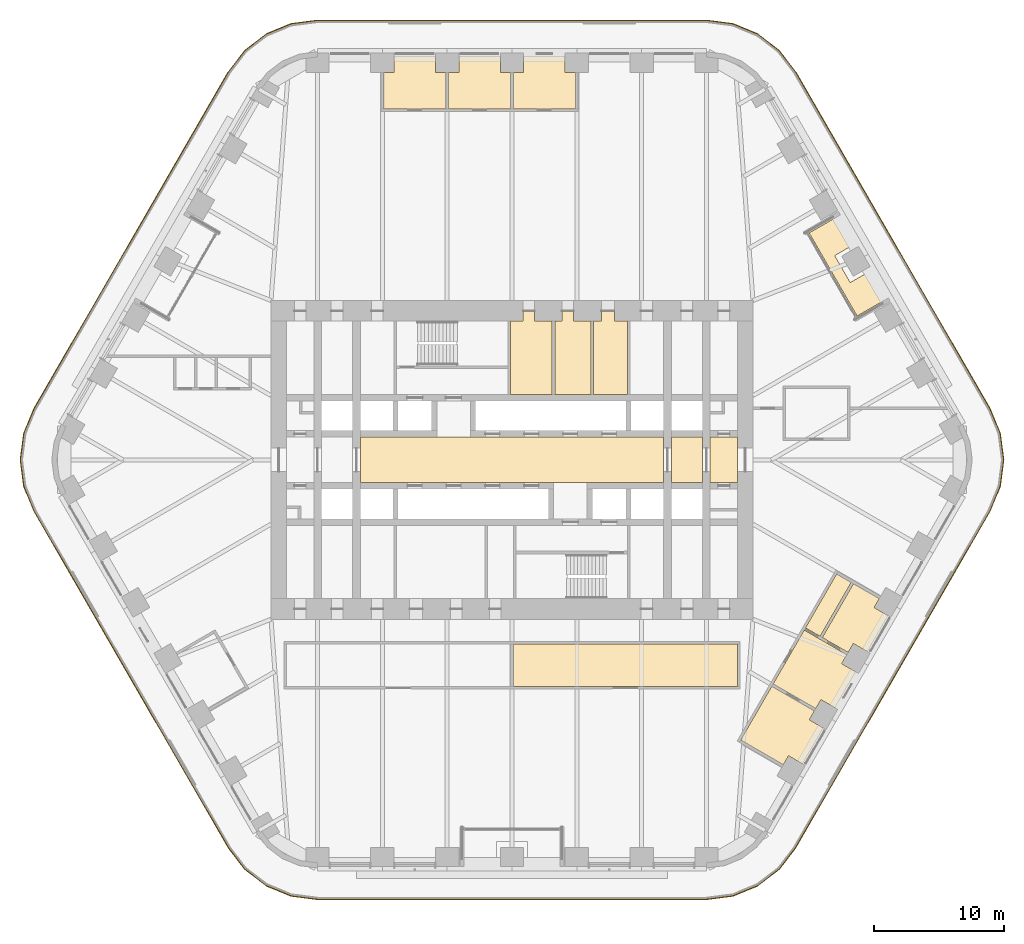
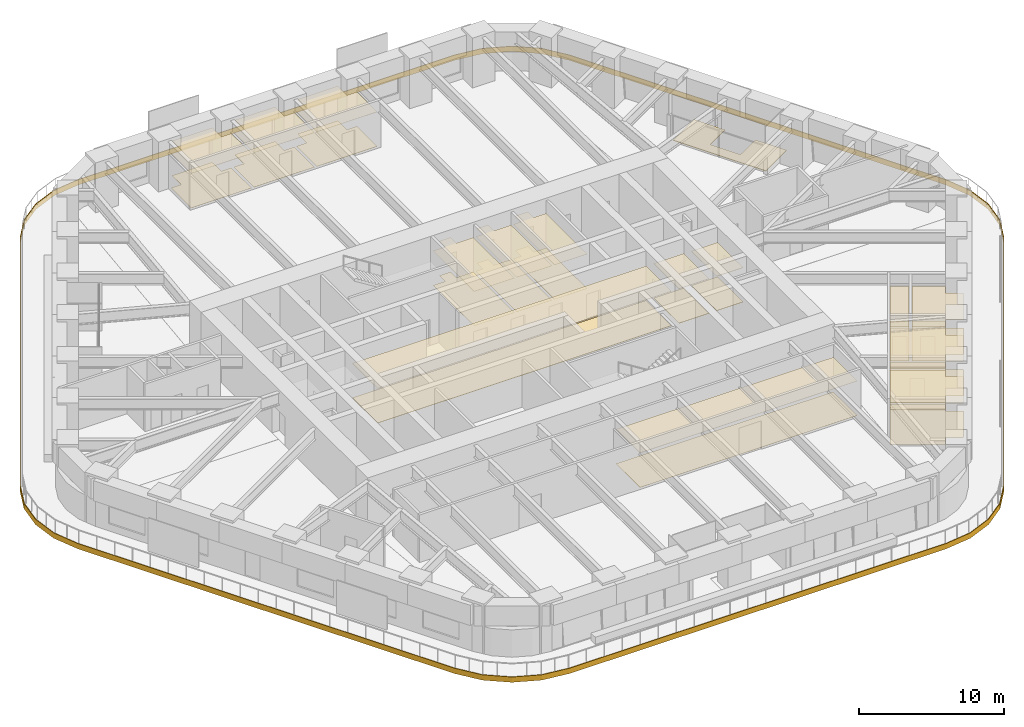
# One storey, part 23 of 24: 16 coverings.
"""IFC4 building model written with IfcOpenShell, lengths in metres."""

from ifc_helpers import new_model, si_unit, direction, frame, origin, place, context, subcontext, project, spatial, polyline, outline, extrude, material, layer, layer_set, type_object, element, save


model = new_model("IFC4")

# Units and contexts
model_context = context("Model", 3, precision=1e-05, world=origin(), true_north=direction((0.0, 1.0)))
body_context = subcontext(model_context, "Body", "Model", "MODEL_VIEW")
ifc_project = project(units=[si_unit("LENGTHUNIT", "METRE"), si_unit("AREAUNIT", "SQUARE_METRE"), si_unit("VOLUMEUNIT", "CUBIC_METRE"), si_unit("PLANEANGLEUNIT", "RADIAN"), si_unit("MASSUNIT", "GRAM", prefix="KILO")], contexts=[model_context])

# Site, building, storey
site_placement = place(None, origin())
site = spatial("IfcSite", under=ifc_project, at=site_placement, CompositionType="ELEMENT")
building_placement = place(site_placement, origin())
building = spatial("IfcBuilding", under=site, at=building_placement, Name="Tarfa Lantern Tower", CompositionType="ELEMENT")
storey_placement = place(building_placement, frame((0.0, 0.0, 132.10009765625)))
storey = spatial("IfcBuildingStorey", under=building, at=storey_placement, Name="L29", CompositionType="ELEMENT", Elevation=132.10009765625)

# Coverings
ifc_material_1 = material(Name="Mineral fibre acoustic tile on suspension grid", Category="finish")
ifc_layer_1 = layer(ifc_material_1, 0.02001953125)
ifc_layer_set_1 = layer_set([ifc_layer_1], Name="CL1 ACOUSTIC TILE CEILING 20")
covering_type_1 = type_object("IfcCoveringType", Name="CL1 ACOUSTIC TILE CEILING 20", PredefinedType="CEILING", material=ifc_layer_set_1)
covering_1_placement = place(storey_placement, frame((0.0, 0.0, 2.89990234375)))
element("IfcCovering", 1, at=covering_1_placement, inside=storey, type_object=covering_type_1, Name="Ceiling L29 CL1", PredefinedType="CEILING", context=body_context, shape_type="SweptSolid", body=[
    extrude(outline(polyline([(4.90380859375, 27.10009765625), (0.10009765625, 27.10009765625), (0.10009765625, 29.89990234375), (0.89990234375, 29.89990234375), (0.89990234375, 31.14990234375), (4.103759765625, 31.14990234375), (4.103759765625, 29.89990234375), (4.90380859375, 29.89990234375), (4.90380859375, 27.10009765625)])), origin(), (0.0, 0.0, 1.0), 0.02001953125),
    extrude(outline(polyline([(-0.10009765625, 27.10009765625), (-4.90380859375, 27.10009765625), (-4.90380859375, 29.89990234375), (-4.103759765625, 29.89990234375), (-4.103759765625, 31.14990234375), (-0.89990234375, 31.14990234375), (-0.89990234375, 29.89990234375), (-0.10009765625, 29.89990234375), (-0.10009765625, 27.10009765625)])), origin(), (0.0, 0.0, 1.0), 0.02001953125),
    extrude(outline(polyline([(-5.103759765625, 27.10009765625), (-9.907470703125, 27.10009765625), (-9.907470703125, 29.89990234375), (-9.107421875, 29.89990234375), (-9.107421875, 31.14990234375), (-5.90380859375, 31.14990234375), (-5.90380859375, 29.89990234375), (-5.103759765625, 29.89990234375), (-5.103759765625, 27.10009765625)])), origin(), (0.0, 0.0, 1.0), 0.02001953125),
    extrude(outline(polyline([(20.051513671875, -17.469970703125), (23.34228515625, -19.369873046875), (22.9423828125, -20.062744140625), (24.02490234375, -20.687744140625), (22.423095703125, -23.462158203125), (21.340576171875, -22.837158203125), (20.9404296875, -23.530029296875), (17.649658203125, -21.630126953125), (20.051513671875, -17.469970703125)])), origin(), (0.0, 0.0, 1.0), 0.02001953125),
    extrude(outline(polyline([(22.55322265625, -13.13671875), (25.84423828125, -15.03662109375), (25.444091796875, -15.7294921875), (26.526611328125, -16.3544921875), (24.9248046875, -19.12890625), (23.84228515625, -18.50390625), (23.4423828125, -19.19677734375), (20.1513671875, -17.296630859375), (22.55322265625, -13.13671875)])), origin(), (0.0, 0.0, 1.0), 0.02001953125),
    extrude(outline(polyline([(26.354248046875, -9.55322265625), (28.345947265625, -10.703369140625), (27.946044921875, -11.39599609375), (29.028564453125, -12.02099609375), (27.4267578125, -14.795654296875), (26.34423828125, -14.170654296875), (25.944091796875, -14.86328125), (23.952392578125, -13.71337890625), (26.354248046875, -9.55322265625)])), origin(), (0.0, 0.0, 1.0), 0.02001953125),
    extrude(outline(polyline([(25.05517578125, -8.80322265625), (26.180908203125, -9.453369140625), (23.779052734375, -13.61328125), (22.6533203125, -12.96337890625), (25.05517578125, -8.80322265625)])), origin(), (0.0, 0.0, 1.0), 0.02001953125),
    extrude(outline(polyline([(0.10009765625, -14.199951171875), (17.39990234375, -14.199951171875), (17.39990234375, -17.5), (0.10009765625, -17.5), (0.10009765625, -14.199951171875)])), origin(), (0.0, 0.0, 1.0), 0.02001953125),
])
ifc_material_2 = material(Name="Moisture-resistant plasterboard", Category="finish")
ifc_layer_2 = layer(ifc_material_2, 0.014892578125)
ifc_layer_set_2 = layer_set([ifc_layer_2], Name="CL2 MOISTURE-RESISTANT PLASTERBOARD CEILING 15")
covering_type_2 = type_object("IfcCoveringType", Name="CL2 MOISTURE-RESISTANT PLASTERBOARD CEILING 15", PredefinedType="CEILING", material=ifc_layer_set_2)
covering_2_placement = place(storey_placement, frame((0.0, 0.0, 2.89990234375)))
element("IfcCovering", 2, at=covering_2_placement, inside=storey, type_object=covering_type_2, Name="Ceiling L29-09", PredefinedType="CEILING", context=body_context, shape_type="SweptSolid", body=[
    extrude(outline(polyline([(0.85009765625, 10.699951171875), (-0.10009765625, 10.699951171875), (-0.10009765625, 5.050048828125), (3.10009765625, 5.050048828125), (3.10009765625, 10.699951171875), (1.75, 10.699951171875), (1.75, 11.5), (0.85009765625, 11.5), (0.85009765625, 10.699951171875)])), origin(), (0.0, 0.0, 1.0), 0.014892578125),
])
covering_3_placement = place(storey_placement, frame((0.0, 0.0, 2.89990234375)))
element("IfcCovering", 3, at=covering_3_placement, inside=storey, type_object=covering_type_2, Name="Ceiling L29-10", PredefinedType="CEILING", context=body_context, shape_type="SweptSolid", body=[
    extrude(outline(polyline([(3.300048828125, 5.050048828125), (6.10009765625, 5.050048828125), (6.10009765625, 10.699951171875), (4.75, 10.699951171875), (4.75, 11.5), (3.85009765625, 11.5), (3.85009765625, 10.699951171875), (3.300048828125, 10.699951171875), (3.300048828125, 5.050048828125)])), origin(), (0.0, 0.0, 1.0), 0.014892578125),
])
covering_4_placement = place(storey_placement, frame((0.0, 0.0, 2.89990234375)))
element("IfcCovering", 4, at=covering_4_placement, inside=storey, type_object=covering_type_2, Name="Ceiling L29-11", PredefinedType="CEILING", context=body_context, shape_type="SweptSolid", body=[
    extrude(outline(polyline([(6.300048828125, 5.050048828125), (8.89990234375, 5.050048828125), (8.89990234375, 10.699951171875), (7.89990234375, 10.699951171875), (7.89990234375, 11.5), (6.89990234375, 11.5), (6.89990234375, 10.699951171875), (6.300048828125, 10.699951171875), (6.300048828125, 5.050048828125)])), origin(), (0.0, 0.0, 1.0), 0.014892578125),
])
ifc_material_3 = material(Name="Powder-coated aluminium panel", Category="aluminium")
ifc_layer_3 = layer(ifc_material_3, 0.030029296875)
ifc_layer_set_3 = layer_set([ifc_layer_3], Name="CL3 METAL PANEL CEILING 30")
covering_type_3 = type_object("IfcCoveringType", Name="CL3 METAL PANEL CEILING 30", PredefinedType="CEILING", material=ifc_layer_set_3)
covering_5_placement = place(storey_placement, frame((0.0, 0.0, 2.89990234375)))
element("IfcCovering", 5, at=covering_5_placement, inside=storey, type_object=covering_type_3, Name="Ceiling L29-03", PredefinedType="CEILING", context=body_context, shape_type="SweptSolid", body=[
    extrude(outline(polyline([(-11.699951171875, -1.75), (11.699951171875, -1.75), (11.699951171875, 1.75), (-11.699951171875, 1.75), (-11.699951171875, -1.75)])), origin(), (0.0, 0.0, 1.0), 0.030029296875),
])
covering_6_placement = place(storey_placement, frame((0.0, 0.0, 2.89990234375)))
element("IfcCovering", 6, at=covering_6_placement, inside=storey, type_object=covering_type_3, Name="Ceiling L29-04", PredefinedType="CEILING", context=body_context, shape_type="SweptSolid", body=[
    extrude(outline(polyline([(12.300048828125, -1.75), (14.699951171875, -1.75), (14.699951171875, 1.75), (12.300048828125, 1.75), (12.300048828125, -1.75)])), origin(), (0.0, 0.0, 1.0), 0.030029296875),
])
covering_7_placement = place(storey_placement, frame((0.0, 0.0, 2.89990234375)))
element("IfcCovering", 7, at=covering_7_placement, inside=storey, type_object=covering_type_3, Name="Ceiling L29-05", PredefinedType="CEILING", context=body_context, shape_type="SweptSolid", body=[
    extrude(outline(polyline([(15.300048828125, -1.75), (17.39990234375, -1.75), (17.39990234375, 1.75), (15.300048828125, 1.75), (15.300048828125, -1.75)])), origin(), (0.0, 0.0, 1.0), 0.030029296875),
])
ifc_material_4 = material(Name="Nylon carpet tile", Category="finish")
ifc_layer_4 = layer(ifc_material_4, 0.010009765625)
ifc_layer_set_4 = layer_set([ifc_layer_4], Name="FL1 CARPET TILE 10")
covering_type_4 = type_object("IfcCoveringType", Name="FL1 CARPET TILE 10", PredefinedType="FLOORING", material=ifc_layer_set_4)
covering_8_placement = place(storey_placement, origin())
element("IfcCovering", 8, at=covering_8_placement, inside=storey, type_object=covering_type_4, Name="Floor finish L29 FL1", PredefinedType="FLOORING", context=body_context, shape_type="SweptSolid", body=[
    extrude(outline(polyline([(4.90380859375, 27.10009765625), (0.10009765625, 27.10009765625), (0.10009765625, 29.89990234375), (0.89990234375, 29.89990234375), (0.89990234375, 31.14990234375), (4.103759765625, 31.14990234375), (4.103759765625, 29.89990234375), (4.90380859375, 29.89990234375), (4.90380859375, 27.10009765625)])), origin(), (0.0, 0.0, 1.0), 0.010009765625),
    extrude(outline(polyline([(-0.10009765625, 27.10009765625), (-4.90380859375, 27.10009765625), (-4.90380859375, 29.89990234375), (-4.103759765625, 29.89990234375), (-4.103759765625, 31.14990234375), (-0.89990234375, 31.14990234375), (-0.89990234375, 29.89990234375), (-0.10009765625, 29.89990234375), (-0.10009765625, 27.10009765625)])), origin(), (0.0, 0.0, 1.0), 0.010009765625),
    extrude(outline(polyline([(-5.103759765625, 27.10009765625), (-9.907470703125, 27.10009765625), (-9.907470703125, 29.89990234375), (-9.107421875, 29.89990234375), (-9.107421875, 31.14990234375), (-5.90380859375, 31.14990234375), (-5.90380859375, 29.89990234375), (-5.103759765625, 29.89990234375), (-5.103759765625, 27.10009765625)])), origin(), (0.0, 0.0, 1.0), 0.010009765625),
    extrude(outline(polyline([(20.051513671875, -17.469970703125), (23.34228515625, -19.369873046875), (22.9423828125, -20.062744140625), (24.02490234375, -20.687744140625), (22.423095703125, -23.462158203125), (21.340576171875, -22.837158203125), (20.9404296875, -23.530029296875), (17.649658203125, -21.630126953125), (20.051513671875, -17.469970703125)])), origin(), (0.0, 0.0, 1.0), 0.010009765625),
    extrude(outline(polyline([(22.55322265625, -13.13671875), (25.84423828125, -15.03662109375), (25.444091796875, -15.7294921875), (26.526611328125, -16.3544921875), (24.9248046875, -19.12890625), (23.84228515625, -18.50390625), (23.4423828125, -19.19677734375), (20.1513671875, -17.296630859375), (22.55322265625, -13.13671875)])), origin(), (0.0, 0.0, 1.0), 0.010009765625),
    extrude(outline(polyline([(26.354248046875, -9.55322265625), (28.345947265625, -10.703369140625), (27.946044921875, -11.39599609375), (29.028564453125, -12.02099609375), (27.4267578125, -14.795654296875), (26.34423828125, -14.170654296875), (25.944091796875, -14.86328125), (23.952392578125, -13.71337890625), (26.354248046875, -9.55322265625)])), origin(), (0.0, 0.0, 1.0), 0.010009765625),
    extrude(outline(polyline([(25.05517578125, -8.80322265625), (26.180908203125, -9.453369140625), (23.779052734375, -13.61328125), (22.6533203125, -12.96337890625), (25.05517578125, -8.80322265625)])), origin(), (0.0, 0.0, 1.0), 0.010009765625),
    extrude(outline(polyline([(0.10009765625, -14.199951171875), (17.39990234375, -14.199951171875), (17.39990234375, -17.5), (0.10009765625, -17.5), (0.10009765625, -14.199951171875)])), origin(), (0.0, 0.0, 1.0), 0.010009765625),
])
ifc_material_5 = material(Name="Honed limestone flooring", Category="masonry")
ifc_layer_5 = layer(ifc_material_5, 0.030029296875)
ifc_layer_set_5 = layer_set([ifc_layer_5], Name="FL2 STONE FLOORING 30")
covering_type_5 = type_object("IfcCoveringType", Name="FL2 STONE FLOORING 30", PredefinedType="FLOORING", material=ifc_layer_set_5)
covering_9_placement = place(storey_placement, origin())
element("IfcCovering", 9, at=covering_9_placement, inside=storey, type_object=covering_type_5, Name="Floor finish L29-03", PredefinedType="FLOORING", context=body_context, shape_type="SweptSolid", body=[
    extrude(outline(polyline([(-11.699951171875, -1.75), (11.699951171875, -1.75), (11.699951171875, 1.75), (-11.699951171875, 1.75), (-11.699951171875, -1.75)])), origin(), (0.0, 0.0, 1.0), 0.02978515625),
])
covering_10_placement = place(storey_placement, origin())
element("IfcCovering", 10, at=covering_10_placement, inside=storey, type_object=covering_type_5, Name="Floor finish L29-04", PredefinedType="FLOORING", context=body_context, shape_type="SweptSolid", body=[
    extrude(outline(polyline([(12.300048828125, -1.75), (14.699951171875, -1.75), (14.699951171875, 1.75), (12.300048828125, 1.75), (12.300048828125, -1.75)])), origin(), (0.0, 0.0, 1.0), 0.02978515625),
])
covering_11_placement = place(storey_placement, origin())
element("IfcCovering", 11, at=covering_11_placement, inside=storey, type_object=covering_type_5, Name="Floor finish L29-05", PredefinedType="FLOORING", context=body_context, shape_type="SweptSolid", body=[
    extrude(outline(polyline([(15.300048828125, -1.75), (17.39990234375, -1.75), (17.39990234375, 1.75), (15.300048828125, 1.75), (15.300048828125, -1.75)])), origin(), (0.0, 0.0, 1.0), 0.02978515625),
])
ifc_material_6 = material(Name="Porcelain floor tile", Category="finish")
ifc_layer_6 = layer(ifc_material_6, 0.011962890625)
ifc_layer_set_6 = layer_set([ifc_layer_6], Name="FL3 CERAMIC TILE 12")
covering_type_6 = type_object("IfcCoveringType", Name="FL3 CERAMIC TILE 12", PredefinedType="FLOORING", material=ifc_layer_set_6)
covering_12_placement = place(storey_placement, origin())
element("IfcCovering", 12, at=covering_12_placement, inside=storey, type_object=covering_type_6, Name="Floor finish L29-09", PredefinedType="FLOORING", context=body_context, shape_type="SweptSolid", body=[
    extrude(outline(polyline([(0.85009765625, 10.699951171875), (-0.10009765625, 10.699951171875), (-0.10009765625, 5.050048828125), (3.10009765625, 5.050048828125), (3.10009765625, 10.699951171875), (1.75, 10.699951171875), (1.75, 11.5), (0.85009765625, 11.5), (0.85009765625, 10.699951171875)])), origin(), (0.0, 0.0, 1.0), 0.011962890625),
])
covering_13_placement = place(storey_placement, origin())
element("IfcCovering", 13, at=covering_13_placement, inside=storey, type_object=covering_type_6, Name="Floor finish L29-10", PredefinedType="FLOORING", context=body_context, shape_type="SweptSolid", body=[
    extrude(outline(polyline([(3.300048828125, 5.050048828125), (6.10009765625, 5.050048828125), (6.10009765625, 10.699951171875), (4.75, 10.699951171875), (4.75, 11.5), (3.85009765625, 11.5), (3.85009765625, 10.699951171875), (3.300048828125, 10.699951171875), (3.300048828125, 5.050048828125)])), origin(), (0.0, 0.0, 1.0), 0.011962890625),
])
covering_14_placement = place(storey_placement, origin())
element("IfcCovering", 14, at=covering_14_placement, inside=storey, type_object=covering_type_6, Name="Floor finish L29-11", PredefinedType="FLOORING", context=body_context, shape_type="SweptSolid", body=[
    extrude(outline(polyline([(6.300048828125, 5.050048828125), (8.89990234375, 5.050048828125), (8.89990234375, 10.699951171875), (7.89990234375, 10.699951171875), (7.89990234375, 11.5), (6.89990234375, 11.5), (6.89990234375, 10.699951171875), (6.300048828125, 10.699951171875), (6.300048828125, 5.050048828125)])), origin(), (0.0, 0.0, 1.0), 0.011962890625),
])
ifc_material_7 = material(Name="Porcelain pavers on pedestals", Category="ceramic")
ifc_layer_7 = layer(ifc_material_7, 0.0400390625)
ifc_layer_set_7 = layer_set([ifc_layer_7], Name="LP1 LOGGIA PAVING 40")
covering_type_7 = type_object("IfcCoveringType", Name="LP1 LOGGIA PAVING 40", PredefinedType="FLOORING", material=ifc_layer_set_7)
covering_15_placement = place(storey_placement, origin())
element("IfcCovering", 15, at=covering_15_placement, inside=storey, type_object=covering_type_7, Name="Loggia paving NE", PredefinedType="FLOORING", context=body_context, shape_type="SweptSolid", body=[
    extrude(outline(polyline([(29.131591796875, 12.54248046875), (26.637451171875, 11.1025390625), (22.933837890625, 17.517578125), (25.427978515625, 18.95751953125), (26.6796875, 16.789306640625), (24.904541015625, 15.76416015625), (26.1044921875, 13.685791015625), (27.8798828125, 14.710693359375), (29.131591796875, 12.54248046875)])), origin(), (0.0, 0.0, 1.0), 0.039794921875),
])
ifc_material_8 = material(Name="Limestone cladding on brackets", Category="masonry")
ifc_layer_8 = layer(ifc_material_8, 0.050048828125)
ifc_layer_set_8 = layer_set([ifc_layer_8], Name="SB1 STONE BAND CLADDING 50")
covering_type_8 = type_object("IfcCoveringType", Name="SB1 STONE BAND CLADDING 50", PredefinedType="CLADDING", material=ifc_layer_set_8)
covering_16_placement = place(storey_placement, frame((0.0, 0.0, -0.400146484375)))
element("IfcCovering", 16, at=covering_16_placement, inside=storey, type_object=covering_type_8, Name="Stone band", PredefinedType="CLADDING", context=body_context, shape_type="SweptSolid", body=[
    extrude(outline(polyline([(36.9072265625, 3.97509765625), (21.89599609375, 29.97509765625), (20.632568359375, 31.62158203125), (18.986083984375, 32.885009765625), (17.068603515625, 33.67919921875), (15.010986328125, 33.949951171875), (-15.010986328125, 33.949951171875), (-17.068603515625, 33.67919921875), (-18.986083984375, 32.885009765625), (-20.632568359375, 31.62158203125), (-21.89599609375, 29.97509765625), (-36.9072265625, 3.97509765625), (-37.701416015625, 2.0576171875), (-37.97216796875, 0.0), (-37.701416015625, -2.0576171875), (-36.9072265625, -3.97509765625), (-21.89599609375, -29.97509765625), (-20.632568359375, -31.62158203125), (-18.986083984375, -32.885009765625), (-17.068603515625, -33.67919921875), (-15.010986328125, -33.949951171875), (15.010986328125, -33.949951171875), (17.068603515625, -33.67919921875), (18.986083984375, -32.885009765625), (20.632568359375, -31.62158203125), (21.89599609375, -29.97509765625), (36.9072265625, -3.97509765625), (37.701416015625, -2.0576171875), (37.97216796875, 0.0), (37.701416015625, 2.0576171875), (36.9072265625, 3.97509765625)]), holes=[polyline([(36.86376953125, 3.949951171875), (21.852783203125, 29.949951171875), (20.59716796875, 31.586181640625), (18.961181640625, 32.841552734375), (17.0556640625, 33.630859375), (15.010986328125, 33.89990234375), (-15.010986328125, 33.89990234375), (-17.0556640625, 33.630859375), (-18.961181640625, 32.841552734375), (-20.59716796875, 31.586181640625), (-21.852783203125, 29.949951171875), (-36.86376953125, 3.949951171875), (-37.653076171875, 2.044677734375), (-37.922119140625, 0.0), (-37.653076171875, -2.044677734375), (-36.86376953125, -3.949951171875), (-21.852783203125, -29.949951171875), (-20.59716796875, -31.586181640625), (-18.961181640625, -32.841552734375), (-17.0556640625, -33.630859375), (-15.010986328125, -33.89990234375), (15.010986328125, -33.89990234375), (17.0556640625, -33.630859375), (18.961181640625, -32.841552734375), (20.59716796875, -31.586181640625), (21.852783203125, -29.949951171875), (36.86376953125, -3.949951171875), (37.653076171875, -2.044677734375), (37.922119140625, 0.0), (37.653076171875, 2.044677734375), (36.86376953125, 3.949951171875)])]), origin(), (0.0, 0.0, 1.0), 0.449951171875),
])

save(model, "model.ifc")
